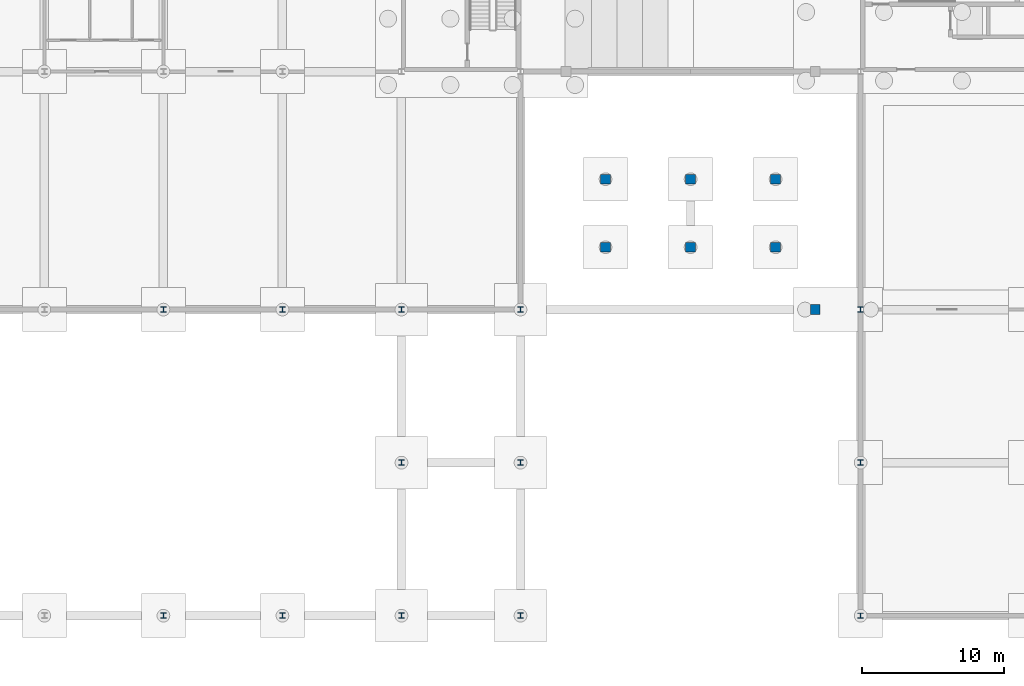
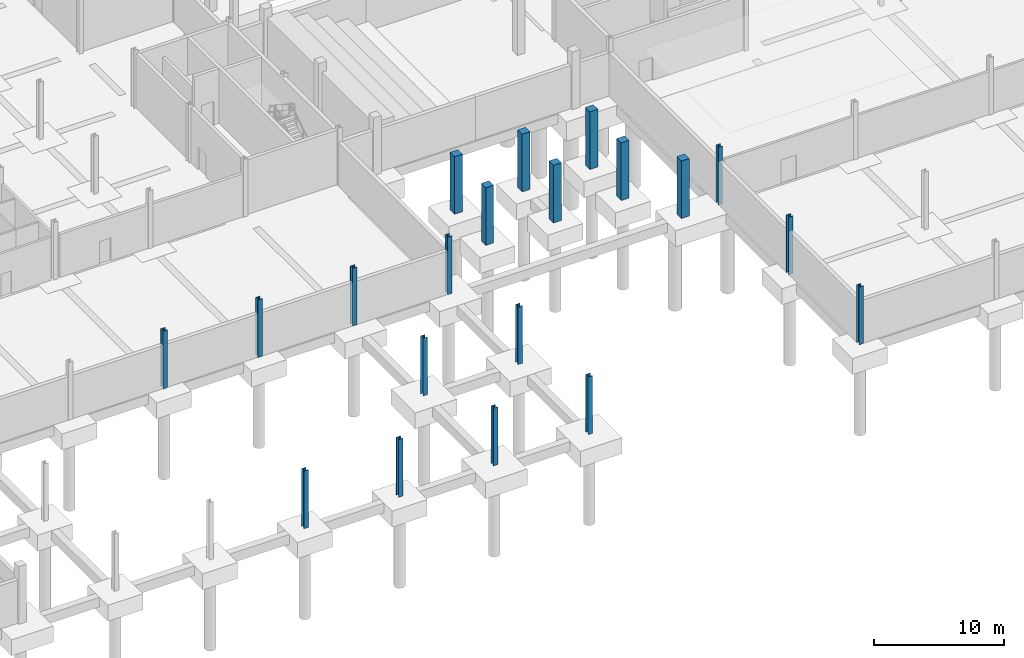
# One storey, part 9 of 36: 20 columns.
"""IFC4 building model written with IfcOpenShell, lengths in metres."""

from ifc_helpers import new_model, si_unit, direction, frame, origin, origin_2d, place, context, subcontext, project, spatial, rectangle, i_section, extrude, material, material_profile, profile_set, type_object, element, save


model = new_model("IFC4")

# Units and contexts
model_context = context("Model", 3, precision=1e-05, world=origin(), true_north=direction((0.0, 1.0)))
body_context = subcontext(model_context, "Body", "Model", "MODEL_VIEW")
ifc_project = project(units=[si_unit("LENGTHUNIT", "METRE"), si_unit("AREAUNIT", "SQUARE_METRE"), si_unit("VOLUMEUNIT", "CUBIC_METRE"), si_unit("PLANEANGLEUNIT", "RADIAN"), si_unit("MASSUNIT", "GRAM", prefix="KILO"), si_unit("THERMODYNAMICTEMPERATUREUNIT", "KELVIN"), si_unit("POWERUNIT", "WATT")], contexts=[model_context])

# Site, building, storey
site_placement = place(None, origin())
site = spatial("IfcSite", under=ifc_project, at=site_placement, CompositionType="ELEMENT")
building_placement = place(site_placement, origin())
building = spatial("IfcBuilding", under=site, at=building_placement, Name="Tembeka Court Mobility Hub", CompositionType="ELEMENT")
storey_placement = place(building_placement, frame((0.0, 0.0, -5.39990234375)))
storey = spatial("IfcBuildingStorey", under=building, at=storey_placement, Name="B1", CompositionType="ELEMENT", Elevation=-5.39990234375)

# Columns
ifc_material_1 = material(Name="Steel S355", Category="steel")
ifc_material_profile_1 = material_profile(ifc_material_1, i_section(OverallWidth=0.39892578125, OverallDepth=0.39404296875, WebThickness=0.022705078125, FlangeThickness=0.03662109375, FilletRadius=0.01513671875, at=origin_2d()), Name="UKC 356x406x287")
ifc_profile_set_1 = profile_set([ifc_material_profile_1], Name="Steel S355")
column_type_1 = type_object("IfcColumnType", Name="COL-C01", PredefinedType="COLUMN", material=ifc_profile_set_1)
for number, where, z_axis, x_axis, name in (
    (1, (67.199951171875, 0.0, 0.0), (0.0, 0.0, 1.0), (1.0, 0.0, 0.0), "Column C01 (B1-093)"),
    (2, (67.199951171875, 21.60009765625, 0.0), (0.0, 0.0, 1.0), (1.0, 0.0, 0.0), "Column C01 (B1-094)"),
    (3, (75.60009765625, 0.0, 0.0), (0.0, 0.0, 1.0), (1.0, 0.0, 0.0), "Column C01 (B1-103)"),
    (4, (75.60009765625, 21.60009765625, 0.0), (0.0, 0.0, 1.0), (1.0, 0.0, 0.0), "Column C01 (B1-104)"),
    (5, (84.0, 0.0, 0.0), (0.0, 0.0, 1.0), (1.0, 0.0, 0.0), "Column C01 (B1-113)"),
    (6, (84.0, 10.800048828125, 0.0), (0.0, 0.0, 1.0), (1.0, 0.0, 0.0), "Column C01 (B1-114)"),
    (7, (84.0, 21.60009765625, 0.0), (0.0, 0.0, 1.0), (1.0, 0.0, 0.0), "Column C01 (B1-115)"),
    (8, (92.39990234375, 0.0, 0.0), (0.0, 0.0, 1.0), (1.0, 0.0, 0.0), "Column C01 (B1-125)"),
    (9, (92.39990234375, 10.800048828125, 0.0), (0.0, 0.0, 1.0), (1.0, 0.0, 0.0), "Column C01 (B1-126)"),
    (10, (92.39990234375, 21.60009765625, 0.0), (0.0, 0.0, 1.0), (1.0, 0.0, 0.0), "Column C01 (B1-127)"),
):
    element("IfcColumn", number, at=place(storey_placement, frame(where, z_axis=z_axis, x_axis=x_axis)), inside=storey, type_object=column_type_1, Name=name, PredefinedType="COLUMN", context=body_context, shape_type="SweptSolid", body=[
        extrude(i_section(OverallWidth=0.39892578125, OverallDepth=0.39404296875, WebThickness=0.022705078125, FlangeThickness=0.03662109375, FilletRadius=0.01513671875, at=origin_2d()), origin(), (0.0, 0.0, 1.0), 5.39990234375),
    ])
ifc_material_profile_2 = material_profile(ifc_material_1, i_section(OverallWidth=0.39501953125, OverallDepth=0.381103515625, WebThickness=0.018310546875, FlangeThickness=0.0302734375, FilletRadius=0.01513671875, at=origin_2d()), Name="UKC 356x406x235")
ifc_profile_set_2 = profile_set([ifc_material_profile_2], Name="Steel S355")
column_type_2 = type_object("IfcColumnType", Name="COL-C02", PredefinedType="COLUMN", material=ifc_profile_set_2)
for number, where, z_axis, x_axis, name in (
    (11, (116.39990234375, 0.0, 0.0), (0.0, 0.0, 1.0), (1.0, 0.0, 0.0), "Column C02 (B1-156)"),
    (12, (116.39990234375, 10.800048828125, 0.0), (0.0, 0.0, 1.0), (1.0, 0.0, 0.0), "Column C02 (B1-157)"),
    (13, (116.39990234375, 21.60009765625, 0.0), (0.0, 0.0, 1.0), (1.0, 0.0, 0.0), "Column C02 (B1-158)"),
):
    element("IfcColumn", number, at=place(storey_placement, frame(where, z_axis=z_axis, x_axis=x_axis)), inside=storey, type_object=column_type_2, Name=name, PredefinedType="COLUMN", context=body_context, shape_type="SweptSolid", body=[
        extrude(i_section(OverallWidth=0.39501953125, OverallDepth=0.381103515625, WebThickness=0.018310546875, FlangeThickness=0.0302734375, FilletRadius=0.01513671875, at=origin_2d()), origin(), (0.0, 0.0, 1.0), 5.39990234375),
    ])
ifc_material_2 = material(Name="Concrete C40/50", Category="concrete")
ifc_material_profile_3 = material_profile(ifc_material_2, rectangle(XDim=0.699951171875, YDim=0.699951171875, at=origin_2d()), Name="RC-COL 700x700")
ifc_profile_set_3 = profile_set([ifc_material_profile_3], Name="Concrete C40/50")
column_type_3 = type_object("IfcColumnType", Name="COL-RC01", PredefinedType="COLUMN", material=ifc_profile_set_3)
for number, where, z_axis, x_axis, name in (
    (14, (98.39990234375, 26.0, 0.0), (0.0, 0.0, 1.0), (1.0, 0.0, 0.0), "Column RC01 (B1-141)"),
    (15, (98.39990234375, 30.800048828125, 0.0), (0.0, 0.0, 1.0), (1.0, 0.0, 0.0), "Column RC01 (B1-142)"),
    (16, (104.39990234375, 26.0, 0.0), (0.0, 0.0, 1.0), (1.0, 0.0, 0.0), "Column RC01 (B1-145)"),
    (17, (104.39990234375, 30.800048828125, 0.0), (0.0, 0.0, 1.0), (1.0, 0.0, 0.0), "Column RC01 (B1-146)"),
    (18, (110.39990234375, 26.0, 0.0), (0.0, 0.0, 1.0), (1.0, 0.0, 0.0), "Column RC01 (B1-149)"),
    (19, (110.39990234375, 30.800048828125, 0.0), (0.0, 0.0, 1.0), (1.0, 0.0, 0.0), "Column RC01 (B1-150)"),
    (20, (113.199951171875, 21.60009765625, 0.0), (0.0, 0.0, 1.0), (1.0, 0.0, 0.0), "Column RC01 (B1-153)"),
):
    element("IfcColumn", number, at=place(storey_placement, frame(where, z_axis=z_axis, x_axis=x_axis)), inside=storey, type_object=column_type_3, Name=name, PredefinedType="COLUMN", context=body_context, shape_type="SweptSolid", body=[
        extrude(rectangle(XDim=0.699951171875, YDim=0.699951171875, at=origin_2d()), origin(), (0.0, 0.0, 1.0), 5.39990234375),
    ])

save(model, "model.ifc")
